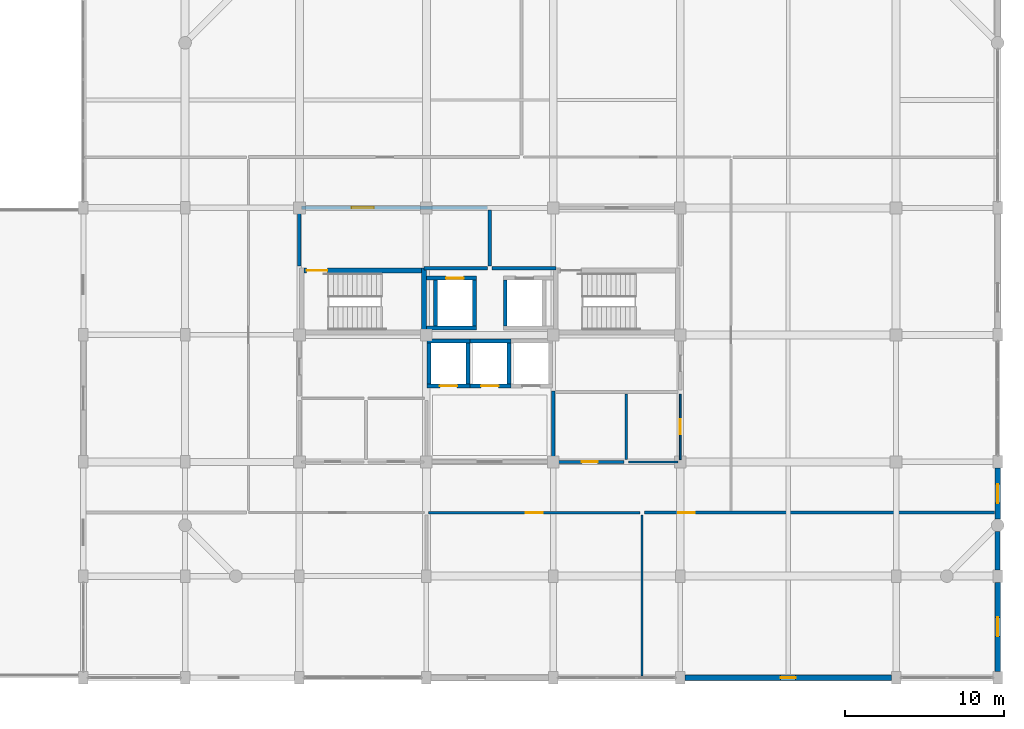
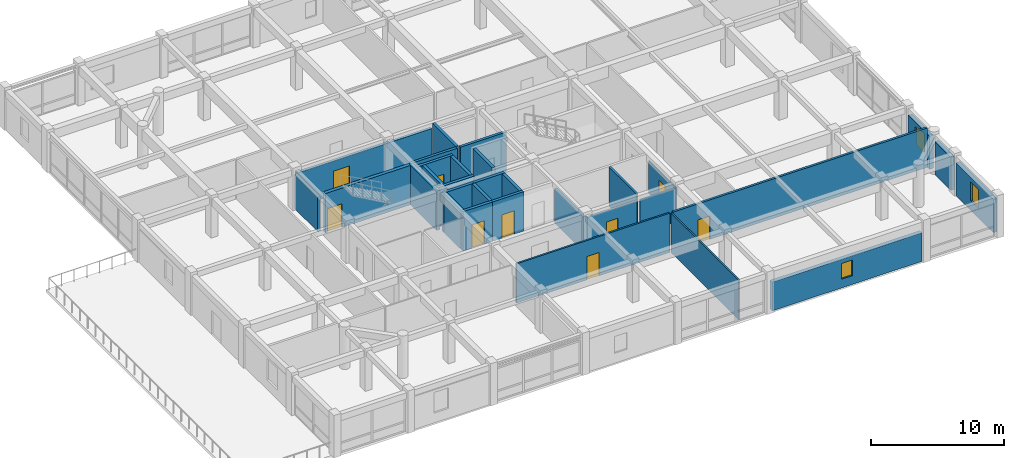
# One storey, part 11 of 14: 31 walls, 9 doors, 3 windows, 12 openings.
"""IFC4 building model written with IfcOpenShell, lengths in metres."""

from ifc_helpers import new_model, si_unit, direction, frame, frame_2d, origin, place, context, subcontext, project, spatial, rectangle, extrude, material, layer, layer_set, type_object, element, fill, save


model = new_model("IFC4")

# Units and contexts
model_context = context("Model", 3, precision=1e-05, world=origin(), true_north=direction((0.0, 1.0)))
body_context = subcontext(model_context, "Body", "Model", "MODEL_VIEW")
ifc_project = project(units=[si_unit("LENGTHUNIT", "METRE"), si_unit("AREAUNIT", "SQUARE_METRE"), si_unit("VOLUMEUNIT", "CUBIC_METRE"), si_unit("PLANEANGLEUNIT", "RADIAN"), si_unit("MASSUNIT", "GRAM", prefix="KILO")], contexts=[model_context])

# Site, building, storey
site_placement = place(None, origin())
site = spatial("IfcSite", under=ifc_project, at=site_placement, CompositionType="ELEMENT")
building_placement = place(site_placement, origin())
building = spatial("IfcBuilding", under=site, at=building_placement, Name="Vellmiral Cinema and Media Centre", CompositionType="ELEMENT")
storey_placement = place(building_placement, frame((0.0, 0.0, 27.800048828125)))
storey = spatial("IfcBuildingStorey", under=building, at=storey_placement, Name="L06", CompositionType="ELEMENT", Elevation=27.800048828125)

# Wall
ifc_material_1 = material(Name="Concrete C40/50", Category="concrete")
ifc_layer_1 = layer(ifc_material_1, 0.300048828125, Name="Concrete C40/50")
ifc_layer_set_1 = layer_set([ifc_layer_1], Name="Concrete C40/50")
wall_type_1 = type_object("IfcWallType", Name="WL-CORE-300", PredefinedType="SHEAR", material=ifc_layer_set_1)
wall_1_placement = place(storey_placement, frame((131.85009765625, 87.199951171875, 0.0), z_axis=(0.0, 0.0, 1.0), x_axis=(0.0, 1.0, 0.0)))
element("IfcWall", 1, at=wall_1_placement, inside=storey, type_object=wall_type_1, Name="Stair Core Wall ST-T1 L06-E", PredefinedType="SHEAR", context=body_context, shape_type="SweptSolid", body=[
    extrude(rectangle(XDim=4.199951171875, YDim=0.300048828125, at=frame_2d((2.10009765625, 0.0))), origin(), (0.0, 0.0, 1.0), 3.619873046875),
])

# Wall, opening, door
wall_2_placement = place(storey_placement, frame((124.300048828125, 91.25, 0.0), z_axis=(0.0, 0.0, 1.0), x_axis=(1.0, 0.0, 0.0)))
wall_2 = element("IfcWall", 2, at=wall_2_placement, inside=storey, type_object=wall_type_1, Name="Stair Core Wall ST-T1 L06-N", PredefinedType="SHEAR", context=body_context, shape_type="SweptSolid", body=[
    extrude(rectangle(XDim=7.39990234375, YDim=0.300048828125, at=frame_2d((3.699951171875, 0.0))), origin(), (0.0, 0.0, 1.0), 3.619873046875),
])
opening_1_placement = place(wall_2_placement, frame((0.159912109375, 0.0, 0.0)))
opening_1 = element("IfcOpeningElement", 3, at=opening_1_placement, cuts=wall_2, Name="Opening D-FD30A", PredefinedType="OPENING", context=body_context, shape_type="SweptSolid", body=[
    extrude(rectangle(XDim=1.300048828125, YDim=2.179931640625, at=frame_2d((0.64990234375, 1.08984375))), frame((0.0, 0.162109375, 0.0), z_axis=(0.0, -1.0, 0.0), x_axis=(1.0, 0.0, 0.0)), (0.0, 0.0, 1.0), 0.323974609375),
])
ifc_material_2 = material(Name="Steel Stair Fire Door", Category="steel")
door_type_1 = type_object("IfcDoorType", Name="DR-FD30-1300x2180", OperationType="NOTDEFINED", PredefinedType="DOOR", material=ifc_material_2)
door_1_placement = place(opening_1_placement, frame((1.300048828125, 0.0, 0.0), z_axis=(0.0, 0.0, 1.0), x_axis=(-1.0, 0.0, 0.0)))
door_1 = element("IfcDoor", 4, at=door_1_placement, inside=storey, type_object=door_type_1, Name="Protected Stair Door ST-T1 L06", OperationType="SINGLE_SWING_RIGHT", OverallHeight=2.179931640625, OverallWidth=1.300048828125, PredefinedType="DOOR", context=body_context, shape_type="SweptSolid", body=[
    extrude(rectangle(XDim=1.300048828125, YDim=2.179931640625, at=frame_2d((0.64990234375, 1.08984375))), frame((0.0, 0.02490234375, 0.0), z_axis=(0.0, -1.0, 0.0), x_axis=(1.0, 0.0, 0.0)), (0.0, 0.0, 1.0), 0.050048828125),
])
fill(opening_1, door_1)

# Wall
ifc_material_3 = material(Name="Polychrome Glazed Ceramic Cladding", Category="masonry")
ifc_layer_2 = layer(ifc_material_3, 0.320068359375, Name="Polychrome Glazed Ceramic Cladding")
ifc_layer_set_2 = layer_set([ifc_layer_2], Name="Polychrome Glazed Ceramic Cladding")
wall_type_2 = type_object("IfcWallType", Name="WL-EXT-BRICK-320", PredefinedType="SOLIDWALL", material=ifc_layer_set_2)
wall_3_placement = place(storey_placement, frame((168.0, 72.39990234375, 0.0), z_axis=(0.0, 0.0, 1.0), x_axis=(0.0, 1.0, 0.0)))
element("IfcWall", 5, at=wall_3_placement, inside=storey, type_object=wall_type_2, Name="Exterior Facade Wall L06-009", PredefinedType="SOLIDWALL", context=body_context, shape_type="SweptSolid", body=[
    extrude(rectangle(XDim=2.400146484375, YDim=0.320068359375, at=frame_2d((1.2001953125, 0.0))), origin(), (0.0, 0.0, 1.0), 3.0400390625),
])

# Wall, opening, window
ifc_material_4 = material(Name="Vosges Red Sandstone Masonry", Category="masonry")
ifc_layer_3 = layer(ifc_material_4, 0.340087890625, Name="Vosges Red Sandstone Masonry")
ifc_layer_set_3 = layer_set([ifc_layer_3], Name="Vosges Red Sandstone Masonry")
wall_type_3 = type_object("IfcWallType", Name="WL-EXT-SAND-340", PredefinedType="SOLIDWALL", material=ifc_layer_set_3)
wall_4_placement = place(storey_placement, frame((148.300048828125, 65.60009765625, 0.0), z_axis=(0.0, 0.0, 1.0), x_axis=(1.0, 0.0, 0.0)))
wall_4 = element("IfcWall", 6, at=wall_4_placement, inside=storey, type_object=wall_type_3, Name="Exterior Facade Wall L06-006", PredefinedType="SOLIDWALL", context=body_context, shape_type="SweptSolid", body=[
    extrude(rectangle(XDim=13.0, YDim=0.340087890625, at=frame_2d((6.5, 0.0))), origin(), (0.0, 0.0, 1.0), 2.625),
])
opening_2_placement = place(wall_4_placement, frame((6.02490234375, 0.0, 0.800048828125)))
opening_2 = element("IfcOpeningElement", 7, at=opening_2_placement, cuts=wall_4, Name="Opening WN-12", PredefinedType="OPENING", context=body_context, shape_type="SweptSolid", body=[
    extrude(rectangle(XDim=0.949951171875, YDim=1.449951171875, at=frame_2d((0.47509765625, 0.72509765625))), frame((0.0, 0.18212890625, 0.0), z_axis=(0.0, -1.0, 0.0), x_axis=(1.0, 0.0, 0.0)), (0.0, 0.0, 1.0), 0.364013671875),
])
ifc_material_5 = material(Name="Thermally Broken Aluminium Triple Glazing", Category="aluminium")
window_type_1 = type_object("IfcWindowType", Name="WN-0950x1450", PartitioningType="SINGLE_PANEL", PredefinedType="WINDOW", material=ifc_material_5)
window_1_placement = place(opening_2_placement, origin())
window_1 = element("IfcWindow", 8, at=window_1_placement, inside=storey, type_object=window_type_1, Name="Window L06-006", OverallHeight=1.449951171875, OverallWidth=0.949951171875, PartitioningType="SINGLE_PANEL", PredefinedType="WINDOW", context=body_context, shape_type="SweptSolid", body=[
    extrude(rectangle(XDim=0.949951171875, YDim=1.449951171875, at=frame_2d((0.47509765625, 0.72509765625))), frame((0.0, 0.030029296875, 0.0), z_axis=(0.0, -1.0, 0.0), x_axis=(1.0, 0.0, 0.0)), (0.0, 0.0, 1.0), 0.06005859375),
])
fill(opening_2, window_1)

wall_5_placement = place(storey_placement, frame((168.0, 66.0, 0.0), z_axis=(0.0, 0.0, 1.0), x_axis=(0.0, 1.0, 0.0)))
wall_5 = element("IfcWall", 9, at=wall_5_placement, inside=storey, type_object=wall_type_3, Name="Exterior Facade Wall L06-008", PredefinedType="SOLIDWALL", context=body_context, shape_type="SweptSolid", body=[
    extrude(rectangle(XDim=5.60009765625, YDim=0.340087890625, at=frame_2d((2.800048828125, 0.0))), origin(), (0.0, 0.0, 1.0), 3.0400390625),
])
opening_3_placement = place(wall_5_placement, frame((2.199951171875, 0.0, 0.89990234375)))
opening_3 = element("IfcOpeningElement", 10, at=opening_3_placement, cuts=wall_5, Name="Opening WN-10", PredefinedType="OPENING", context=body_context, shape_type="SweptSolid", body=[
    extrude(rectangle(XDim=1.199951171875, YDim=1.699951171875, at=frame_2d((0.60009765625, 0.85009765625))), frame((0.0, 0.18212890625, 0.0), z_axis=(0.0, -1.0, 0.0), x_axis=(1.0, 0.0, 0.0)), (0.0, 0.0, 1.0), 0.364013671875),
])
ifc_material_6 = material(Name="Thermally Broken Aluminium Triple Glazing", Category="aluminium")
window_type_2 = type_object("IfcWindowType", Name="WN-1200x1700", PartitioningType="SINGLE_PANEL", PredefinedType="WINDOW", material=ifc_material_6)
window_2_placement = place(opening_3_placement, origin())
window_2 = element("IfcWindow", 11, at=window_2_placement, inside=storey, type_object=window_type_2, Name="Window L06-008", OverallHeight=1.699951171875, OverallWidth=1.199951171875, PartitioningType="SINGLE_PANEL", PredefinedType="WINDOW", context=body_context, shape_type="SweptSolid", body=[
    extrude(rectangle(XDim=1.199951171875, YDim=1.699951171875, at=frame_2d((0.60009765625, 0.85009765625))), frame((0.0, 0.030029296875, 0.0), z_axis=(0.0, -1.0, 0.0), x_axis=(1.0, 0.0, 0.0)), (0.0, 0.0, 1.0), 0.06005859375),
])
fill(opening_3, window_2)

wall_6_placement = place(storey_placement, frame((168.0, 75.60009765625, 0.0), z_axis=(0.0, 0.0, 1.0), x_axis=(0.0, 1.0, 0.0)))
wall_6 = element("IfcWall", 12, at=wall_6_placement, inside=storey, type_object=wall_type_3, Name="Exterior Facade Wall L06-010", PredefinedType="SOLIDWALL", context=body_context, shape_type="SweptSolid", body=[
    extrude(rectangle(XDim=3.199951171875, YDim=0.340087890625, at=frame_2d((1.60009765625, 0.0))), origin(), (0.0, 0.0, 1.0), 3.0400390625),
])
opening_4_placement = place(wall_6_placement, frame((1.0, 0.0, 0.89990234375)))
opening_4 = element("IfcOpeningElement", 13, at=opening_4_placement, cuts=wall_6, Name="Opening WN-10", PredefinedType="OPENING", context=body_context, shape_type="SweptSolid", body=[
    extrude(rectangle(XDim=1.199951171875, YDim=1.699951171875, at=frame_2d((0.60009765625, 0.85009765625))), frame((0.0, 0.18212890625, 0.0), z_axis=(0.0, -1.0, 0.0), x_axis=(1.0, 0.0, 0.0)), (0.0, 0.0, 1.0), 0.364013671875),
])
window_3_placement = place(opening_4_placement, origin())
window_3 = element("IfcWindow", 14, at=window_3_placement, inside=storey, type_object=window_type_2, Name="Window L06-010", OverallHeight=1.699951171875, OverallWidth=1.199951171875, PartitioningType="SINGLE_PANEL", PredefinedType="WINDOW", context=body_context, shape_type="SweptSolid", body=[
    extrude(rectangle(XDim=1.199951171875, YDim=1.699951171875, at=frame_2d((0.60009765625, 0.85009765625))), frame((0.0, 0.030029296875, 0.0), z_axis=(0.0, -1.0, 0.0), x_axis=(1.0, 0.0, 0.0)), (0.0, 0.0, 1.0), 0.06005859375),
])
fill(opening_4, window_3)

# Wall
ifc_material_7 = material(Name="Concrete C40/50", Category="concrete")
ifc_layer_4 = layer(ifc_material_7, 0.22998046875, Name="Concrete C40/50")
ifc_layer_set_4 = layer_set([ifc_layer_4], Name="Concrete C40/50")
wall_type_4 = type_object("IfcWallType", Name="WL-FFL-230", PredefinedType="SOLIDWALL", material=ifc_layer_set_4)
wall_7_placement = place(storey_placement, frame((131.840087890625, 91.39990234375, 0.0), z_axis=(0.0, 0.0, 1.0), x_axis=(1.0, 0.0, 0.0)))
element("IfcWall", 15, at=wall_7_placement, inside=storey, type_object=wall_type_4, Name="Firefighting Lobby West Wall S", PredefinedType="SOLIDWALL", context=body_context, shape_type="SweptSolid", body=[
    extrude(rectangle(XDim=4.02001953125, YDim=0.22998046875, at=frame_2d((2.010009765625, 0.0))), origin(), (0.0, 0.0, 1.0), 3.619873046875),
])

# Wall, opening, door
wall_8_placement = place(storey_placement, frame((124.139892578125, 95.199951171875, 0.0), z_axis=(0.0, 0.0, 1.0), x_axis=(1.0, 0.0, 0.0)))
wall_8 = element("IfcWall", 16, at=wall_8_placement, inside=storey, type_object=wall_type_4, Name="Firefighting Lobby West Wall N", PredefinedType="SOLIDWALL", context=body_context, shape_type="SweptSolid", body=[
    extrude(rectangle(XDim=11.72021484375, YDim=0.22998046875, at=frame_2d((5.860107421875, 0.0))), origin(), (0.0, 0.0, 1.0), 3.135009765625),
])
opening_5_placement = place(wall_8_placement, frame((3.159912109375, 0.0, 0.0)))
opening_5 = element("IfcOpeningElement", 17, at=opening_5_placement, cuts=wall_8, Name="Opening D-FD60B", PredefinedType="OPENING", context=body_context, shape_type="SweptSolid", body=[
    extrude(rectangle(XDim=1.39990234375, YDim=2.199951171875, at=frame_2d((0.699951171875, 1.10009765625))), frame((0.0, 0.126953125, 0.0), z_axis=(0.0, -1.0, 0.0), x_axis=(1.0, 0.0, 0.0)), (0.0, 0.0, 1.0), 0.25390625),
])
ifc_material_8 = material(Name="Steel Fire Door", Category="steel")
door_type_2 = type_object("IfcDoorType", Name="DR-FD60-1400x2200", OperationType="NOTDEFINED", PredefinedType="DOOR", material=ifc_material_8)
door_2_placement = place(opening_5_placement, frame((1.39990234375, 0.0, 0.0), z_axis=(0.0, 0.0, 1.0), x_axis=(-1.0, 0.0, 0.0)))
door_2 = element("IfcDoor", 18, at=door_2_placement, inside=storey, type_object=door_type_2, Name="Firefighting Lobby West Door", OperationType="SINGLE_SWING_RIGHT", OverallHeight=2.199951171875, OverallWidth=1.39990234375, PredefinedType="DOOR", context=body_context, shape_type="SweptSolid", body=[
    extrude(rectangle(XDim=1.39990234375, YDim=2.199951171875, at=frame_2d((0.699951171875, 1.10009765625))), frame((0.0, 0.02490234375, 0.0), z_axis=(0.0, -1.0, 0.0), x_axis=(1.0, 0.0, 0.0)), (0.0, 0.0, 1.0), 0.050048828125),
])
fill(opening_5, door_2)

# Walls
wall_9_placement = place(storey_placement, frame((124.0, 91.5400390625, 0.0), z_axis=(0.0, 0.0, 1.0), x_axis=(0.0, 1.0, 0.0)))
element("IfcWall", 19, at=wall_9_placement, inside=storey, type_object=wall_type_4, Name="Firefighting Lobby West Wall W", PredefinedType="SOLIDWALL", context=body_context, shape_type="SweptSolid", body=[
    extrude(rectangle(XDim=3.52001953125, YDim=0.22998046875, at=frame_2d((1.760009765625, 0.0))), origin(), (0.0, 0.0, 1.0), 3.135009765625),
])
wall_10_placement = place(storey_placement, frame((136.0, 91.5400390625, 0.0), z_axis=(0.0, 0.0, 1.0), x_axis=(0.0, 1.0, 0.0)))
element("IfcWall", 20, at=wall_10_placement, inside=storey, type_object=wall_type_4, Name="Firefighting Lobby West Wall E", PredefinedType="SOLIDWALL", context=body_context, shape_type="SweptSolid", body=[
    extrude(rectangle(XDim=3.52001953125, YDim=0.22998046875, at=frame_2d((1.760009765625, 0.0))), origin(), (0.0, 0.0, 1.0), 3.619873046875),
])
wall_11_placement = place(storey_placement, frame((136.139892578125, 91.39990234375, 0.0), z_axis=(0.0, 0.0, 1.0), x_axis=(1.0, 0.0, 0.0)))
element("IfcWall", 21, at=wall_11_placement, inside=storey, type_object=wall_type_4, Name="Firefighting Lobby East Wall S", PredefinedType="SOLIDWALL", context=body_context, shape_type="SweptSolid", body=[
    extrude(rectangle(XDim=4.02001953125, YDim=0.22998046875, at=frame_2d((2.010009765625, 0.0))), origin(), (0.0, 0.0, 1.0), 3.619873046875),
])
wall_12_placement = place(storey_placement, frame((140.0, 79.340087890625, 0.0), z_axis=(0.0, 0.0, 1.0), x_axis=(0.0, 1.0, 0.0)))
element("IfcWall", 22, at=wall_12_placement, inside=storey, type_object=wall_type_4, Name="Tower Passenger Lift Lobby Wall E", PredefinedType="SOLIDWALL", context=body_context, shape_type="SweptSolid", body=[
    extrude(rectangle(XDim=4.31982421875, YDim=0.22998046875, at=frame_2d((2.159912109375, 0.0))), origin(), (0.0, 0.0, 1.0), 3.135009765625),
])

# Wall, opening, door
ifc_material_9 = material(Name="Gypsum Plasterboard")
ifc_layer_5 = layer(ifc_material_9, 0.02490234375, Name="Gypsum Plasterboard", Category="gypsum")
ifc_material_10 = material(Name="Mineral Wool Acoustic Insulation", Category="insulation")
ifc_layer_6 = layer(ifc_material_10, 0.06005859375, Name="Mineral Wool Acoustic Insulation", Category="insulation")
ifc_layer_7 = layer(ifc_material_9, 0.02490234375, Name="Gypsum Plasterboard", Category="gypsum")
ifc_layer_set_5 = layer_set([ifc_layer_5, ifc_layer_6, ifc_layer_7], Name="Gypsum Plasterboard")
wall_type_5 = type_object("IfcWallType", Name="WL-PART-110", PredefinedType="PARTITIONING", material=ifc_layer_set_5)
wall_13_placement = place(storey_placement, frame((148.0, 79.340087890625, 0.0), z_axis=(0.0, 0.0, 1.0), x_axis=(0.0, 1.0, 0.0)))
wall_13 = element("IfcWall", 23, at=wall_13_placement, inside=storey, type_object=wall_type_5, Name="Equipment Store Room Wall E", PredefinedType="PARTITIONING", context=body_context, shape_type="SweptSolid", body=[
    extrude(rectangle(XDim=4.119873046875, YDim=0.110107421875, at=frame_2d((2.06005859375, 0.0))), origin(), (0.0, 0.0, 1.0), 2.98486328125),
])
opening_6_placement = place(wall_13_placement, frame((1.5849609375, 0.0, 0.0)))
opening_6 = element("IfcOpeningElement", 24, at=opening_6_placement, cuts=wall_13, Name="Opening D-I09", PredefinedType="OPENING", context=body_context, shape_type="SweptSolid", body=[
    extrude(rectangle(XDim=0.949951171875, YDim=2.14990234375, at=frame_2d((0.47509765625, 1.074951171875))), frame((0.0, 0.06689453125, 0.0), z_axis=(0.0, -1.0, 0.0), x_axis=(1.0, 0.0, 0.0)), (0.0, 0.0, 1.0), 0.134033203125),
])
ifc_material_11 = material(Name="Moisture-Resistant Timber Door", Category="wood")
door_type_3 = type_object("IfcDoorType", Name="DR-INT-950x2150", OperationType="NOTDEFINED", PredefinedType="DOOR", material=ifc_material_11)
door_3_placement = place(opening_6_placement, origin())
door_3 = element("IfcDoor", 25, at=door_3_placement, inside=storey, type_object=door_type_3, Name="Equipment Store Room Door", OperationType="SINGLE_SWING_LEFT", OverallHeight=2.14990234375, OverallWidth=0.949951171875, PredefinedType="DOOR", context=body_context, shape_type="SweptSolid", body=[
    extrude(rectangle(XDim=0.949951171875, YDim=2.14990234375, at=frame_2d((0.47509765625, 1.074951171875))), frame((0.0, 0.02490234375, 0.0), z_axis=(0.0, -1.0, 0.0), x_axis=(1.0, 0.0, 0.0)), (0.0, 0.0, 1.0), 0.050048828125),
])
fill(opening_6, door_3)

# Walls
ifc_material_12 = material(Name="Gypsum Plasterboard")
ifc_layer_8 = layer(ifc_material_12, 0.02490234375, Name="Gypsum Plasterboard", Category="gypsum")
ifc_material_13 = material(Name="Mineral Wool Acoustic Insulation", Category="insulation")
ifc_layer_9 = layer(ifc_material_13, 0.080078125, Name="Mineral Wool Acoustic Insulation", Category="insulation")
ifc_layer_10 = layer(ifc_material_12, 0.02490234375, Name="Gypsum Plasterboard", Category="gypsum")
ifc_layer_set_6 = layer_set([ifc_layer_8, ifc_layer_9, ifc_layer_10], Name="Gypsum Plasterboard")
wall_type_6 = type_object("IfcWallType", Name="WL-PART-130", PredefinedType="PARTITIONING", material=ifc_layer_set_6)
wall_14_placement = place(storey_placement, frame((144.739990234375, 79.199951171875, 0.0), z_axis=(0.0, 0.0, 1.0), x_axis=(1.0, 0.0, 0.0)))
element("IfcWall", 26, at=wall_14_placement, inside=storey, type_object=wall_type_6, Name="Equipment Store Room Wall S", PredefinedType="PARTITIONING", context=body_context, shape_type="SweptSolid", body=[
    extrude(rectangle(XDim=3.1201171875, YDim=0.1298828125, at=frame_2d((1.56005859375, 0.0))), origin(), (0.0, 0.0, 1.0), 3.135009765625),
])
wall_15_placement = place(storey_placement, frame((145.60009765625, 65.695068359375, 0.0), z_axis=(0.0, 0.0, 1.0), x_axis=(0.0, 1.0, 0.0)))
element("IfcWall", 27, at=wall_15_placement, inside=storey, type_object=wall_type_6, Name="South Central VFX Suite Wall E", PredefinedType="PARTITIONING", context=body_context, shape_type="SweptSolid", body=[
    extrude(rectangle(XDim=10.1650390625, YDim=0.1298828125, at=frame_2d((5.08251953125, 0.0))), origin(), (0.0, 0.0, 1.0), 3.619873046875),
])

# Wall, opening, door
ifc_material_14 = material(Name="Gypsum Plasterboard")
ifc_layer_11 = layer(ifc_material_14, 0.02490234375, Name="Gypsum Plasterboard", Category="gypsum")
ifc_material_15 = material(Name="Mineral Wool Acoustic Insulation", Category="insulation")
ifc_layer_12 = layer(ifc_material_15, 0.10009765625, Name="Mineral Wool Acoustic Insulation", Category="insulation")
ifc_layer_13 = layer(ifc_material_14, 0.02490234375, Name="Gypsum Plasterboard", Category="gypsum")
ifc_layer_set_7 = layer_set([ifc_layer_11, ifc_layer_12, ifc_layer_13], Name="Gypsum Plasterboard")
wall_type_7 = type_object("IfcWallType", Name="WL-PART-150", PredefinedType="PARTITIONING", material=ifc_layer_set_7)
wall_16_placement = place(storey_placement, frame((132.139892578125, 76.0, 0.0), z_axis=(0.0, 0.0, 1.0), x_axis=(1.0, 0.0, 0.0)))
wall_16 = element("IfcWall", 28, at=wall_16_placement, inside=storey, type_object=wall_type_7, Name="South Central VFX Suite Wall N", PredefinedType="PARTITIONING", context=body_context, shape_type="SweptSolid", body=[
    extrude(rectangle(XDim=13.320068359375, YDim=0.14990234375, at=frame_2d((6.66015625, 0.0))), origin(), (0.0, 0.0, 1.0), 3.619873046875),
])
opening_7_placement = place(wall_16_placement, frame((6.135009765625, 0.0, 0.0)))
opening_7 = element("IfcOpeningElement", 29, at=opening_7_placement, cuts=wall_16, Name="Opening D-I07", PredefinedType="OPENING", context=body_context, shape_type="SweptSolid", body=[
    extrude(rectangle(XDim=1.050048828125, YDim=2.14990234375, at=frame_2d((0.52490234375, 1.074951171875))), frame((0.0, 0.0869140625, 0.0), z_axis=(0.0, -1.0, 0.0), x_axis=(1.0, 0.0, 0.0)), (0.0, 0.0, 1.0), 0.173828125),
])
ifc_material_16 = material(Name="Laminated Timber Door", Category="wood")
door_type_4 = type_object("IfcDoorType", Name="DR-INT-1050x2150", OperationType="NOTDEFINED", PredefinedType="DOOR", material=ifc_material_16)
door_4_placement = place(opening_7_placement, frame((1.050048828125, 0.0, 0.0), z_axis=(0.0, 0.0, 1.0), x_axis=(-1.0, 0.0, 0.0)))
door_4 = element("IfcDoor", 30, at=door_4_placement, inside=storey, type_object=door_type_4, Name="South Central VFX Suite Door", OperationType="SINGLE_SWING_RIGHT", OverallHeight=2.14990234375, OverallWidth=1.050048828125, PredefinedType="DOOR", context=body_context, shape_type="SweptSolid", body=[
    extrude(rectangle(XDim=1.050048828125, YDim=2.14990234375, at=frame_2d((0.52490234375, 1.074951171875))), frame((0.0, 0.02490234375, 0.0), z_axis=(0.0, -1.0, 0.0), x_axis=(1.0, 0.0, 0.0)), (0.0, 0.0, 1.0), 0.050048828125),
])
fill(opening_7, door_4)

# Wall
ifc_material_17 = material(Name="Gypsum Plasterboard")
ifc_layer_14 = layer(ifc_material_17, 0.02490234375, Name="Gypsum Plasterboard", Category="gypsum")
ifc_material_18 = material(Name="Mineral Wool Acoustic Insulation", Category="insulation")
ifc_layer_15 = layer(ifc_material_18, 0.1201171875, Name="Mineral Wool Acoustic Insulation", Category="insulation")
ifc_layer_16 = layer(ifc_material_17, 0.02490234375, Name="Gypsum Plasterboard", Category="gypsum")
ifc_layer_set_8 = layer_set([ifc_layer_14, ifc_layer_15, ifc_layer_16], Name="Gypsum Plasterboard")
wall_type_8 = type_object("IfcWallType", Name="WL-PART-170", PredefinedType="PARTITIONING", material=ifc_layer_set_8)
wall_17_placement = place(storey_placement, frame((144.60009765625, 79.340087890625, 0.0), z_axis=(0.0, 0.0, 1.0), x_axis=(0.0, 1.0, 0.0)))
element("IfcWall", 31, at=wall_17_placement, inside=storey, type_object=wall_type_8, Name="Staff Tea Pantry Wall E", PredefinedType="PARTITIONING", context=body_context, shape_type="SweptSolid", body=[
    extrude(rectangle(XDim=4.119873046875, YDim=0.169921875, at=frame_2d((2.06005859375, 0.0))), origin(), (0.0, 0.0, 1.0), 3.619873046875),
])

# Wall, opening, door
ifc_material_19 = material(Name="Gypsum Plasterboard")
ifc_layer_17 = layer(ifc_material_19, 0.02490234375, Name="Gypsum Plasterboard", Category="gypsum")
ifc_material_20 = material(Name="Mineral Wool Acoustic Insulation", Category="insulation")
ifc_layer_18 = layer(ifc_material_20, 0.139892578125, Name="Mineral Wool Acoustic Insulation", Category="insulation")
ifc_layer_19 = layer(ifc_material_19, 0.02490234375, Name="Gypsum Plasterboard", Category="gypsum")
ifc_layer_set_9 = layer_set([ifc_layer_17, ifc_layer_18, ifc_layer_19], Name="Gypsum Plasterboard")
wall_type_9 = type_object("IfcWallType", Name="WL-PART-190", PredefinedType="PARTITIONING", material=ifc_layer_set_9)
wall_18_placement = place(storey_placement, frame((140.139892578125, 79.199951171875, 0.0), z_axis=(0.0, 0.0, 1.0), x_axis=(1.0, 0.0, 0.0)))
wall_18 = element("IfcWall", 32, at=wall_18_placement, inside=storey, type_object=wall_type_9, Name="Staff Tea Pantry Wall S", PredefinedType="PARTITIONING", context=body_context, shape_type="SweptSolid", body=[
    extrude(rectangle(XDim=4.320068359375, YDim=0.18994140625, at=frame_2d((2.16015625, 0.0))), origin(), (0.0, 0.0, 1.0), 3.135009765625),
])
opening_8_placement = place(wall_18_placement, frame((1.659912109375, 0.0, 0.0)))
opening_8 = element("IfcOpeningElement", 33, at=opening_8_placement, cuts=wall_18, Name="Opening D-I08", PredefinedType="OPENING", context=body_context, shape_type="SweptSolid", body=[
    extrude(rectangle(XDim=1.0, YDim=2.14990234375, at=frame_2d((0.5, 1.074951171875))), frame((0.0, 0.10693359375, 0.0), z_axis=(0.0, -1.0, 0.0), x_axis=(1.0, 0.0, 0.0)), (0.0, 0.0, 1.0), 0.2138671875),
])
ifc_material_21 = material(Name="Laminated Timber Door", Category="wood")
door_type_5 = type_object("IfcDoorType", Name="DR-INT-1000x2150", OperationType="NOTDEFINED", PredefinedType="DOOR", material=ifc_material_21)
door_5_placement = place(opening_8_placement, origin())
door_5 = element("IfcDoor", 34, at=door_5_placement, inside=storey, type_object=door_type_5, Name="Staff Tea Pantry Door", OperationType="SINGLE_SWING_RIGHT", OverallHeight=2.14990234375, OverallWidth=1.0, PredefinedType="DOOR", context=body_context, shape_type="SweptSolid", body=[
    extrude(rectangle(XDim=1.0, YDim=2.14990234375, at=frame_2d((0.5, 1.074951171875))), frame((0.0, 0.02490234375, 0.0), z_axis=(0.0, -1.0, 0.0), x_axis=(1.0, 0.0, 0.0)), (0.0, 0.0, 1.0), 0.050048828125),
])
fill(opening_8, door_5)

wall_19_placement = place(storey_placement, frame((145.739990234375, 76.0, 0.0), z_axis=(0.0, 0.0, 1.0), x_axis=(1.0, 0.0, 0.0)))
wall_19 = element("IfcWall", 35, at=wall_19_placement, inside=storey, type_object=wall_type_9, Name="South-East VFX Review Room Wall N", PredefinedType="PARTITIONING", context=body_context, shape_type="SweptSolid", body=[
    extrude(rectangle(XDim=22.074951171875, YDim=0.18994140625, at=frame_2d((11.03759765625, 0.0))), origin(), (0.0, 0.0, 1.0), 3.619873046875),
])
opening_9_placement = place(wall_19_placement, frame((2.135009765625, 0.0, 0.0)))
opening_9 = element("IfcOpeningElement", 36, at=opening_9_placement, cuts=wall_19, Name="Opening D-I07", PredefinedType="OPENING", context=body_context, shape_type="SweptSolid", body=[
    extrude(rectangle(XDim=1.050048828125, YDim=2.14990234375, at=frame_2d((0.52490234375, 1.074951171875))), frame((0.0, 0.10693359375, 0.0), z_axis=(0.0, -1.0, 0.0), x_axis=(1.0, 0.0, 0.0)), (0.0, 0.0, 1.0), 0.2138671875),
])
door_6_placement = place(opening_9_placement, frame((1.050048828125, 0.0, 0.0), z_axis=(0.0, 0.0, 1.0), x_axis=(-1.0, 0.0, 0.0)))
door_6 = element("IfcDoor", 37, at=door_6_placement, inside=storey, type_object=door_type_4, Name="South-East VFX Review Room Door", OperationType="SINGLE_SWING_RIGHT", OverallHeight=2.14990234375, OverallWidth=1.050048828125, PredefinedType="DOOR", context=body_context, shape_type="SweptSolid", body=[
    extrude(rectangle(XDim=1.050048828125, YDim=2.14990234375, at=frame_2d((0.52490234375, 1.074951171875))), frame((0.0, 0.02490234375, 0.0), z_axis=(0.0, -1.0, 0.0), x_axis=(1.0, 0.0, 0.0)), (0.0, 0.0, 1.0), 0.050048828125),
])
fill(opening_9, door_6)

# Wall
ifc_material_22 = material(Name="Concrete C40/50", Category="concrete")
ifc_layer_20 = layer(ifc_material_22, 0.25, Name="Concrete C40/50")
ifc_layer_set_10 = layer_set([ifc_layer_20], Name="Concrete C40/50")
wall_type_10 = type_object("IfcWallType", Name="WL-SHAFT-250", PredefinedType="SHEAR", material=ifc_layer_set_10)
wall_20_placement = place(storey_placement, frame((132.0, 87.625, 0.0), z_axis=(0.0, 0.0, 1.0), x_axis=(1.0, 0.0, 0.0)))
element("IfcWall", 38, at=wall_20_placement, inside=storey, type_object=wall_type_10, Name="Lift Shaft Wall LF-FF1 L06-S", PredefinedType="SHEAR", context=body_context, shape_type="SweptSolid", body=[
    extrude(rectangle(XDim=3.14990234375, YDim=0.25, at=frame_2d((1.574951171875, 0.0))), origin(), (0.0, 0.0, 1.0), 3.619873046875),
])

# Wall, opening, door
wall_21_placement = place(storey_placement, frame((132.0, 90.77490234375, 0.0), z_axis=(0.0, 0.0, 1.0), x_axis=(1.0, 0.0, 0.0)))
wall_21 = element("IfcWall", 39, at=wall_21_placement, inside=storey, type_object=wall_type_10, Name="Lift Shaft Wall LF-FF1 L06-N", PredefinedType="SHEAR", context=body_context, shape_type="SweptSolid", body=[
    extrude(rectangle(XDim=3.14990234375, YDim=0.25, at=frame_2d((1.574951171875, 0.0))), origin(), (0.0, 0.0, 1.0), 3.619873046875),
])
opening_10_placement = place(wall_21_placement, frame((1.25, 0.0, 0.0)))
opening_10 = element("IfcOpeningElement", 40, at=opening_10_placement, cuts=wall_21, Name="Opening LD-01", PredefinedType="OPENING", context=body_context, shape_type="SweptSolid", body=[
    extrude(rectangle(XDim=1.10009765625, YDim=2.14990234375, at=frame_2d((0.550048828125, 1.074951171875))), frame((0.0, 0.136962890625, 0.0), z_axis=(0.0, -1.0, 0.0), x_axis=(1.0, 0.0, 0.0)), (0.0, 0.0, 1.0), 0.27392578125),
])
ifc_material_23 = material(Name="Stainless Steel Lift Landing Door", Category="steel")
door_type_6 = type_object("IfcDoorType", Name="DR-LIFT-1100x2150", OperationType="SLIDING_TO_LEFT", PredefinedType="DOOR", material=ifc_material_23)
door_7_placement = place(opening_10_placement, origin())
door_7 = element("IfcDoor", 41, at=door_7_placement, inside=storey, type_object=door_type_6, Name="Lift Landing Door LF-FF1 L06", OperationType="SLIDING_TO_LEFT", OverallHeight=2.14990234375, OverallWidth=1.10009765625, PredefinedType="DOOR", context=body_context, shape_type="SweptSolid", body=[
    extrude(rectangle(XDim=1.10009765625, YDim=2.14990234375, at=frame_2d((0.550048828125, 1.074951171875))), frame((0.0, 0.02490234375, 0.0), z_axis=(0.0, -1.0, 0.0), x_axis=(1.0, 0.0, 0.0)), (0.0, 0.0, 1.0), 0.050048828125),
])
fill(opening_10, door_7)

# Walls
for number, where, z_axis, x_axis, name in (
    (42, (132.574951171875, 87.75, 0.0), (0.0, 0.0, 1.0), (0.0, 1.0, 0.0), "Lift Shaft Wall LF-FF1 L06-W"),
    (43, (135.02490234375, 87.75, 0.0), (0.0, 0.0, 1.0), (0.0, 1.0, 0.0), "Lift Shaft Wall LF-FF1 L06-E"),
    (44, (136.97509765625, 87.75, 0.0), (0.0, 0.0, 1.0), (0.0, 1.0, 0.0), "Lift Shaft Wall LF-FF2 L06-W"),
):
    element("IfcWall", number, at=place(storey_placement, frame(where, z_axis=z_axis, x_axis=x_axis)), inside=storey, type_object=wall_type_10, Name=name, PredefinedType="SHEAR", context=body_context, shape_type="SweptSolid", body=[
        extrude(rectangle(XDim=2.89990234375, YDim=0.25, at=frame_2d((1.449951171875, 0.0))), origin(), (0.0, 0.0, 1.0), 3.619873046875),
    ])

# Wall, opening, door
wall_22_placement = place(storey_placement, frame((132.050048828125, 83.97509765625, 0.0), z_axis=(0.0, 0.0, 1.0), x_axis=(1.0, 0.0, 0.0)))
wall_22 = element("IfcWall", 45, at=wall_22_placement, inside=storey, type_object=wall_type_10, Name="Lift Shaft Wall LF-P1 L06-S", PredefinedType="SHEAR", context=body_context, shape_type="SweptSolid", body=[
    extrude(rectangle(XDim=2.699951171875, YDim=0.25, at=frame_2d((1.35009765625, 0.0))), origin(), (0.0, 0.0, 1.0), 3.619873046875),
])
opening_11_placement = place(wall_22_placement, frame((0.800048828125, 0.0, 0.0)))
opening_11 = element("IfcOpeningElement", 46, at=opening_11_placement, cuts=wall_22, Name="Opening LD-01", PredefinedType="OPENING", context=body_context, shape_type="SweptSolid", body=[
    extrude(rectangle(XDim=1.10009765625, YDim=2.14990234375, at=frame_2d((0.550048828125, 1.074951171875))), frame((0.0, 0.136962890625, 0.0), z_axis=(0.0, -1.0, 0.0), x_axis=(1.0, 0.0, 0.0)), (0.0, 0.0, 1.0), 0.27392578125),
])
door_8_placement = place(opening_11_placement, origin())
door_8 = element("IfcDoor", 47, at=door_8_placement, inside=storey, type_object=door_type_6, Name="Lift Landing Door LF-P1 L06", OperationType="SLIDING_TO_LEFT", OverallHeight=2.14990234375, OverallWidth=1.10009765625, PredefinedType="DOOR", context=body_context, shape_type="SweptSolid", body=[
    extrude(rectangle(XDim=1.10009765625, YDim=2.14990234375, at=frame_2d((0.550048828125, 1.074951171875))), frame((0.0, 0.02490234375, 0.0), z_axis=(0.0, -1.0, 0.0), x_axis=(1.0, 0.0, 0.0)), (0.0, 0.0, 1.0), 0.050048828125),
])
fill(opening_11, door_8)

# Walls
wall_23_placement = place(storey_placement, frame((132.050048828125, 86.824951171875, 0.0), z_axis=(0.0, 0.0, 1.0), x_axis=(1.0, 0.0, 0.0)))
element("IfcWall", 48, at=wall_23_placement, inside=storey, type_object=wall_type_10, Name="Lift Shaft Wall LF-P1 L06-N", PredefinedType="SHEAR", context=body_context, shape_type="SweptSolid", body=[
    extrude(rectangle(XDim=2.699951171875, YDim=0.25, at=frame_2d((1.35009765625, 0.0))), origin(), (0.0, 0.0, 1.0), 3.619873046875),
])
for number, where, z_axis, x_axis, name in (
    (49, (132.175048828125, 84.10009765625, 0.0), (0.0, 0.0, 1.0), (0.0, 1.0, 0.0), "Lift Shaft Wall LF-P1 L06-W"),
    (50, (134.625, 84.10009765625, 0.0), (0.0, 0.0, 1.0), (0.0, 1.0, 0.0), "Lift Shaft Wall LF-P1 L06-E"),
):
    element("IfcWall", number, at=place(storey_placement, frame(where, z_axis=z_axis, x_axis=x_axis)), inside=storey, type_object=wall_type_10, Name=name, PredefinedType="SHEAR", context=body_context, shape_type="SweptSolid", body=[
        extrude(rectangle(XDim=2.599853515625, YDim=0.25, at=frame_2d((1.2998046875, 0.0))), origin(), (0.0, 0.0, 1.0), 3.619873046875),
    ])

# Wall, opening, door
wall_24_placement = place(storey_placement, frame((134.64990234375, 83.97509765625, 0.0), z_axis=(0.0, 0.0, 1.0), x_axis=(1.0, 0.0, 0.0)))
wall_24 = element("IfcWall", 51, at=wall_24_placement, inside=storey, type_object=wall_type_10, Name="Lift Shaft Wall LF-P2 L06-S", PredefinedType="SHEAR", context=body_context, shape_type="SweptSolid", body=[
    extrude(rectangle(XDim=2.7001953125, YDim=0.25, at=frame_2d((1.35009765625, 0.0))), origin(), (0.0, 0.0, 1.0), 3.619873046875),
])
opening_12_placement = place(wall_24_placement, frame((0.800048828125, 0.0, 0.0)))
opening_12 = element("IfcOpeningElement", 52, at=opening_12_placement, cuts=wall_24, Name="Opening LD-01", PredefinedType="OPENING", context=body_context, shape_type="SweptSolid", body=[
    extrude(rectangle(XDim=1.10009765625, YDim=2.14990234375, at=frame_2d((0.550048828125, 1.074951171875))), frame((0.0, 0.136962890625, 0.0), z_axis=(0.0, -1.0, 0.0), x_axis=(1.0, 0.0, 0.0)), (0.0, 0.0, 1.0), 0.27392578125),
])
door_9_placement = place(opening_12_placement, origin())
door_9 = element("IfcDoor", 53, at=door_9_placement, inside=storey, type_object=door_type_6, Name="Lift Landing Door LF-P2 L06", OperationType="SLIDING_TO_LEFT", OverallHeight=2.14990234375, OverallWidth=1.10009765625, PredefinedType="DOOR", context=body_context, shape_type="SweptSolid", body=[
    extrude(rectangle(XDim=1.10009765625, YDim=2.14990234375, at=frame_2d((0.550048828125, 1.074951171875))), frame((0.0, 0.02490234375, 0.0), z_axis=(0.0, -1.0, 0.0), x_axis=(1.0, 0.0, 0.0)), (0.0, 0.0, 1.0), 0.050048828125),
])
fill(opening_12, door_9)

# Walls
wall_25_placement = place(storey_placement, frame((134.64990234375, 86.824951171875, 0.0), z_axis=(0.0, 0.0, 1.0), x_axis=(1.0, 0.0, 0.0)))
element("IfcWall", 54, at=wall_25_placement, inside=storey, type_object=wall_type_10, Name="Lift Shaft Wall LF-P2 L06-N", PredefinedType="SHEAR", context=body_context, shape_type="SweptSolid", body=[
    extrude(rectangle(XDim=2.7001953125, YDim=0.25, at=frame_2d((1.35009765625, 0.0))), origin(), (0.0, 0.0, 1.0), 3.619873046875),
])
wall_26_placement = place(storey_placement, frame((137.22509765625, 84.10009765625, 0.0), z_axis=(0.0, 0.0, 1.0), x_axis=(0.0, 1.0, 0.0)))
element("IfcWall", 55, at=wall_26_placement, inside=storey, type_object=wall_type_10, Name="Lift Shaft Wall LF-P2 L06-E", PredefinedType="SHEAR", context=body_context, shape_type="SweptSolid", body=[
    extrude(rectangle(XDim=2.599853515625, YDim=0.25, at=frame_2d((1.2998046875, 0.0))), origin(), (0.0, 0.0, 1.0), 3.619873046875),
])

save(model, "model.ifc")
